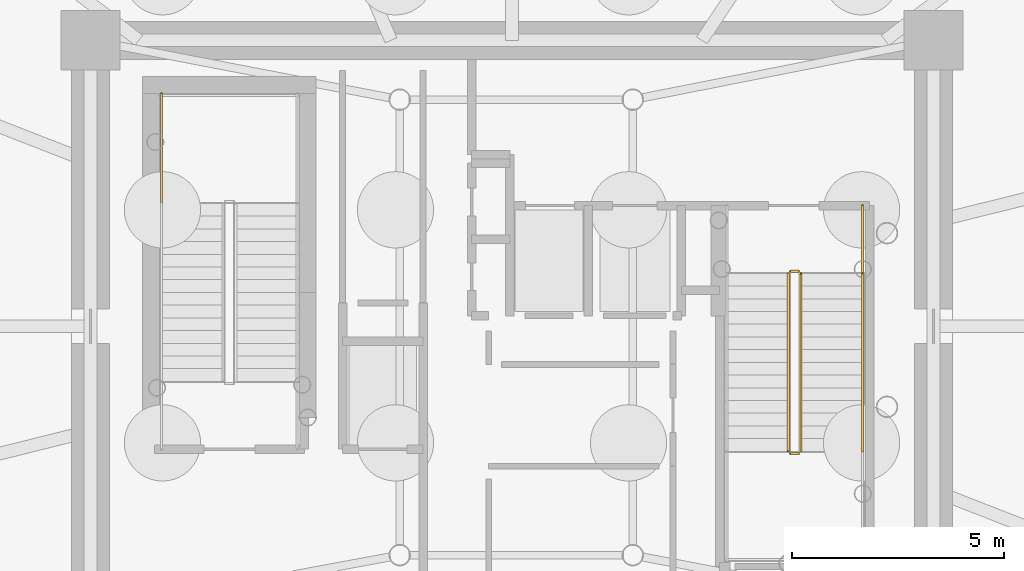
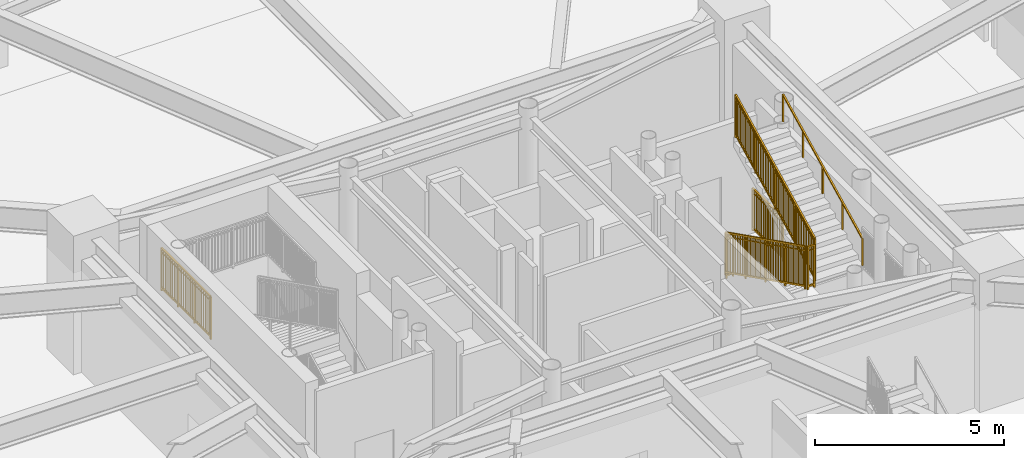
# One storey, part 16 of 18: 7 railings.
"""IFC4 building model written with IfcOpenShell, lengths in metres."""

from ifc_helpers import new_model, si_unit, direction, frame, origin, origin_2d, place, context, subcontext, project, spatial, rectangle, extrude, source, transform, mapped, material, type_object, element, save


model = new_model("IFC4")

# Units and contexts
model_context = context("Model", 3, precision=1e-05, world=origin(), true_north=direction((0.0, 1.0)))
body_context = subcontext(model_context, "Body", "Model", "MODEL_VIEW")
ifc_project = project(units=[si_unit("LENGTHUNIT", "METRE"), si_unit("AREAUNIT", "SQUARE_METRE"), si_unit("VOLUMEUNIT", "CUBIC_METRE"), si_unit("PLANEANGLEUNIT", "RADIAN"), si_unit("MASSUNIT", "GRAM", prefix="KILO")], contexts=[model_context])

# Site, building, storey
site_placement = place(None, origin())
site = spatial("IfcSite", under=ifc_project, at=site_placement, CompositionType="ELEMENT")
building_placement = place(site_placement, origin())
building = spatial("IfcBuilding", under=site, at=building_placement, Name="Linh Dai School and Residence Tower", CompositionType="ELEMENT")
storey_placement = place(building_placement, frame((0.0, 0.0, -9.0)))
storey = spatial("IfcBuildingStorey", under=building, at=storey_placement, Name="B02", CompositionType="ELEMENT", Elevation=-9.0)

# Railings
ifc_material_1 = material(Name="Structural Steel S355JR", Category="steel")
railing_type_1 = type_object("IfcRailingType", Name="RL-ST-GUARD-1400", PredefinedType="GUARDRAIL", material=ifc_material_1)
shared_shape_1 = source(origin(), body_context, "Body", "SweptSolid", [
    extrude(rectangle(XDim=0.048095703125, YDim=0.048095703125, at=origin_2d()), frame((0.0, 0.0, 1.3759765625), z_axis=(0.0, 0.894416792377, 0.447234392142), x_axis=(-1.0, 0.0, 0.0)), (0.0, 0.0, 1.0), 4.69580078125),
    extrude(rectangle(XDim=0.048095703125, YDim=0.048095703125, at=origin_2d()), frame((0.0, 0.0, 0.10009765625), z_axis=(0.0, 0.894416792377, 0.447234392142), x_axis=(-1.0, 0.0, 0.0)), (0.0, 0.0, 1.0), 4.69580078125),
    extrude(rectangle(XDim=0.030029296875, YDim=0.030029296875, at=origin_2d()), frame((0.0, 0.0, 1.239990234375), z_axis=(0.0, 0.894416792377, 0.447234392142), x_axis=(-1.0, 0.0, 0.0)), (0.0, 0.0, 1.0), 4.69580078125),
    extrude(rectangle(XDim=0.02001953125, YDim=0.02001953125, at=origin_2d()), frame((0.0, 0.08740234375, 0.143798828125)), (0.0, 0.0, 1.0), 1.251708984375),
    extrude(rectangle(XDim=0.02001953125, YDim=0.02001953125, at=origin_2d()), frame((0.0, 0.175048828125, 0.1875)), (0.0, 0.0, 1.0), 1.251708984375),
    extrude(rectangle(XDim=0.02001953125, YDim=0.02001953125, at=origin_2d()), frame((0.0, 0.262451171875, 0.2314453125)), (0.0, 0.0, 1.0), 1.251708984375),
    extrude(rectangle(XDim=0.02001953125, YDim=0.02001953125, at=origin_2d()), frame((0.0, 0.35009765625, 0.275146484375)), (0.0, 0.0, 1.0), 1.251708984375),
    extrude(rectangle(XDim=0.02001953125, YDim=0.02001953125, at=origin_2d()), frame((0.0, 0.4375, 0.31884765625)), (0.0, 0.0, 1.0), 1.251708984375),
    extrude(rectangle(XDim=0.02001953125, YDim=0.02001953125, at=origin_2d()), frame((0.0, 0.52490234375, 0.362548828125)), (0.0, 0.0, 1.0), 1.251708984375),
    extrude(rectangle(XDim=0.02001953125, YDim=0.02001953125, at=origin_2d()), frame((0.0, 0.612548828125, 0.40625)), (0.0, 0.0, 1.0), 1.251708984375),
    extrude(rectangle(XDim=0.02001953125, YDim=0.02001953125, at=origin_2d()), frame((0.0, 0.699951171875, 0.4501953125)), (0.0, 0.0, 1.0), 1.251708984375),
    extrude(rectangle(XDim=0.02001953125, YDim=0.02001953125, at=origin_2d()), frame((0.0, 0.78759765625, 0.493896484375)), (0.0, 0.0, 1.0), 1.251708984375),
    extrude(rectangle(XDim=0.02001953125, YDim=0.02001953125, at=origin_2d()), frame((0.0, 0.875, 0.53759765625)), (0.0, 0.0, 1.0), 1.251708984375),
    extrude(rectangle(XDim=0.02001953125, YDim=0.02001953125, at=origin_2d()), frame((0.0, 0.96240234375, 0.581298828125)), (0.0, 0.0, 1.0), 1.251708984375),
    extrude(rectangle(XDim=0.02001953125, YDim=0.02001953125, at=origin_2d()), frame((0.0, 1.137451171875, 0.6689453125)), (0.0, 0.0, 1.0), 1.251708984375),
    extrude(rectangle(XDim=0.02001953125, YDim=0.02001953125, at=origin_2d()), frame((0.0, 1.22509765625, 0.712646484375)), (0.0, 0.0, 1.0), 1.251708984375),
    extrude(rectangle(XDim=0.02001953125, YDim=0.02001953125, at=origin_2d()), frame((0.0, 1.3125, 0.75634765625)), (0.0, 0.0, 1.0), 1.251708984375),
    extrude(rectangle(XDim=0.02001953125, YDim=0.02001953125, at=origin_2d()), frame((0.0, 1.39990234375, 0.800048828125)), (0.0, 0.0, 1.0), 1.251708984375),
    extrude(rectangle(XDim=0.02001953125, YDim=0.02001953125, at=origin_2d()), frame((0.0, 1.487548828125, 0.843994140625)), (0.0, 0.0, 1.0), 1.251708984375),
    extrude(rectangle(XDim=0.02001953125, YDim=0.02001953125, at=origin_2d()), frame((0.0, 1.574951171875, 0.8876953125)), (0.0, 0.0, 1.0), 1.251708984375),
    extrude(rectangle(XDim=0.02001953125, YDim=0.02001953125, at=origin_2d()), frame((0.0, 1.66259765625, 0.931396484375)), (0.0, 0.0, 1.0), 1.251708984375),
    extrude(rectangle(XDim=0.02001953125, YDim=0.02001953125, at=origin_2d()), frame((0.0, 1.75, 0.97509765625)), (0.0, 0.0, 1.0), 1.251708984375),
    extrude(rectangle(XDim=0.02001953125, YDim=0.02001953125, at=origin_2d()), frame((0.0, 1.83740234375, 1.018798828125)), (0.0, 0.0, 1.0), 1.251708984375),
    extrude(rectangle(XDim=0.02001953125, YDim=0.02001953125, at=origin_2d()), frame((0.0, 1.925048828125, 1.062744140625)), (0.0, 0.0, 1.0), 1.251708984375),
    extrude(rectangle(XDim=0.02001953125, YDim=0.02001953125, at=origin_2d()), frame((0.0, 2.012451171875, 1.1064453125)), (0.0, 0.0, 1.0), 1.251708984375),
    extrude(rectangle(XDim=0.02001953125, YDim=0.02001953125, at=origin_2d()), frame((0.0, 2.1875, 1.19384765625)), (0.0, 0.0, 1.0), 1.251708984375),
    extrude(rectangle(XDim=0.02001953125, YDim=0.02001953125, at=origin_2d()), frame((0.0, 2.27490234375, 1.237548828125)), (0.0, 0.0, 1.0), 1.251708984375),
    extrude(rectangle(XDim=0.02001953125, YDim=0.02001953125, at=origin_2d()), frame((0.0, 2.362548828125, 1.281494140625)), (0.0, 0.0, 1.0), 1.251708984375),
    extrude(rectangle(XDim=0.02001953125, YDim=0.02001953125, at=origin_2d()), frame((0.0, 2.449951171875, 1.3251953125)), (0.0, 0.0, 1.0), 1.251708984375),
    extrude(rectangle(XDim=0.02001953125, YDim=0.02001953125, at=origin_2d()), frame((0.0, 2.537353515625, 1.368896484375)), (0.0, 0.0, 1.0), 1.251708984375),
    extrude(rectangle(XDim=0.02001953125, YDim=0.02001953125, at=origin_2d()), frame((0.0, 2.625, 1.41259765625)), (0.0, 0.0, 1.0), 1.251708984375),
    extrude(rectangle(XDim=0.02001953125, YDim=0.02001953125, at=origin_2d()), frame((0.0, 2.71240234375, 1.456298828125)), (0.0, 0.0, 1.0), 1.251708984375),
    extrude(rectangle(XDim=0.02001953125, YDim=0.02001953125, at=origin_2d()), frame((0.0, 2.800048828125, 1.500244140625)), (0.0, 0.0, 1.0), 1.251708984375),
    extrude(rectangle(XDim=0.02001953125, YDim=0.02001953125, at=origin_2d()), frame((0.0, 2.887451171875, 1.5439453125)), (0.0, 0.0, 1.0), 1.251708984375),
    extrude(rectangle(XDim=0.02001953125, YDim=0.02001953125, at=origin_2d()), frame((0.0, 2.974853515625, 1.587646484375)), (0.0, 0.0, 1.0), 1.251708984375),
    extrude(rectangle(XDim=0.02001953125, YDim=0.02001953125, at=origin_2d()), frame((0.0, 3.0625, 1.63134765625)), (0.0, 0.0, 1.0), 1.251708984375),
    extrude(rectangle(XDim=0.02001953125, YDim=0.02001953125, at=origin_2d()), frame((0.0, 3.237548828125, 1.718994140625)), (0.0, 0.0, 1.0), 1.251708984375),
    extrude(rectangle(XDim=0.02001953125, YDim=0.02001953125, at=origin_2d()), frame((0.0, 3.324951171875, 1.7626953125)), (0.0, 0.0, 1.0), 1.251708984375),
    extrude(rectangle(XDim=0.02001953125, YDim=0.02001953125, at=origin_2d()), frame((0.0, 3.412353515625, 1.806396484375)), (0.0, 0.0, 1.0), 1.251708984375),
    extrude(rectangle(XDim=0.02001953125, YDim=0.02001953125, at=origin_2d()), frame((0.0, 3.5, 1.85009765625)), (0.0, 0.0, 1.0), 1.251708984375),
    extrude(rectangle(XDim=0.02001953125, YDim=0.02001953125, at=origin_2d()), frame((0.0, 3.58740234375, 1.89404296875)), (0.0, 0.0, 1.0), 1.251708984375),
    extrude(rectangle(XDim=0.02001953125, YDim=0.02001953125, at=origin_2d()), frame((0.0, 3.675048828125, 1.937744140625)), (0.0, 0.0, 1.0), 1.251708984375),
    extrude(rectangle(XDim=0.02001953125, YDim=0.02001953125, at=origin_2d()), frame((0.0, 3.762451171875, 1.9814453125)), (0.0, 0.0, 1.0), 1.251708984375),
    extrude(rectangle(XDim=0.02001953125, YDim=0.02001953125, at=origin_2d()), frame((0.0, 3.849853515625, 2.025146484375)), (0.0, 0.0, 1.0), 1.251708984375),
    extrude(rectangle(XDim=0.02001953125, YDim=0.02001953125, at=origin_2d()), frame((0.0, 3.9375, 2.06884765625)), (0.0, 0.0, 1.0), 1.251708984375),
    extrude(rectangle(XDim=0.02001953125, YDim=0.02001953125, at=origin_2d()), frame((0.0, 4.02490234375, 2.11279296875)), (0.0, 0.0, 1.0), 1.251708984375),
    extrude(rectangle(XDim=0.02001953125, YDim=0.02001953125, at=origin_2d()), frame((0.0, 4.112548828125, 2.156494140625)), (0.0, 0.0, 1.0), 1.251708984375),
    extrude(rectangle(XDim=0.0419921875, YDim=0.0419921875, at=origin_2d()), origin(), (0.0, 0.0, 1.0), 1.3759765625),
    extrude(rectangle(XDim=0.0419921875, YDim=0.0419921875, at=origin_2d()), frame((0.0, 1.050048828125, 0.52490234375)), (0.0, 0.0, 1.0), 1.3759765625),
    extrude(rectangle(XDim=0.0419921875, YDim=0.0419921875, at=origin_2d()), frame((0.0, 2.10009765625, 1.050048828125)), (0.0, 0.0, 1.0), 1.3759765625),
    extrude(rectangle(XDim=0.0419921875, YDim=0.0419921875, at=origin_2d()), frame((0.0, 3.14990234375, 1.5751953125)), (0.0, 0.0, 1.0), 1.3759765625),
    extrude(rectangle(XDim=0.0419921875, YDim=0.0419921875, at=origin_2d()), frame((0.0, 4.199951171875, 2.10009765625)), (0.0, 0.0, 1.0), 1.3759765625),
])
railing_1_placement = place(storey_placement, frame((42.820068359375, 24.050048828125, 2.39990234375)))
element("IfcRailing", 1, at=railing_1_placement, inside=storey, type_object=railing_type_1, Name="B02 ST2 stair guard 6", PredefinedType="GUARDRAIL", context=body_context, shape_type="MappedRepresentation", body=[
    mapped(shared_shape_1, transform((0.0, 0.0, 0.0), x_axis=(1.0, 0.0, 0.0), y_axis=(0.0, 1.0, 0.0), z_axis=(0.0, 0.0, 1.0), scale=1.0)),
])
shared_shape_2 = source(origin(), body_context, "Body", "SweptSolid", [
    extrude(rectangle(XDim=0.048095703125, YDim=0.048095703125, at=origin_2d()), frame((0.0, 0.0, 1.3759765625), z_axis=(0.0, 1.0, 0.0), x_axis=(-1.0, 0.0, 0.0)), (0.0, 0.0, 1.0), 2.60009765625),
    extrude(rectangle(XDim=0.048095703125, YDim=0.048095703125, at=origin_2d()), frame((0.0, 0.0, 0.10009765625), z_axis=(0.0, 1.0, 0.0), x_axis=(-1.0, 0.0, 0.0)), (0.0, 0.0, 1.0), 2.60009765625),
    extrude(rectangle(XDim=0.030029296875, YDim=0.030029296875, at=origin_2d()), frame((0.0, 0.0, 1.239990234375), z_axis=(0.0, 1.0, 0.0), x_axis=(-1.0, 0.0, 0.0)), (0.0, 0.0, 1.0), 2.60009765625),
    extrude(rectangle(XDim=0.02001953125, YDim=0.02001953125, at=origin_2d()), frame((0.0, 0.09619140625, 0.10009765625)), (0.0, 0.0, 1.0), 1.251708984375),
    extrude(rectangle(XDim=0.02001953125, YDim=0.02001953125, at=origin_2d()), frame((0.0, 0.192626953125, 0.10009765625)), (0.0, 0.0, 1.0), 1.251708984375),
    extrude(rectangle(XDim=0.02001953125, YDim=0.02001953125, at=origin_2d()), frame((0.0, 0.288818359375, 0.10009765625)), (0.0, 0.0, 1.0), 1.251708984375),
    extrude(rectangle(XDim=0.02001953125, YDim=0.02001953125, at=origin_2d()), frame((0.0, 0.38525390625, 0.10009765625)), (0.0, 0.0, 1.0), 1.251708984375),
    extrude(rectangle(XDim=0.02001953125, YDim=0.02001953125, at=origin_2d()), frame((0.0, 0.4814453125, 0.10009765625)), (0.0, 0.0, 1.0), 1.251708984375),
    extrude(rectangle(XDim=0.02001953125, YDim=0.02001953125, at=origin_2d()), frame((0.0, 0.577880859375, 0.10009765625)), (0.0, 0.0, 1.0), 1.251708984375),
    extrude(rectangle(XDim=0.02001953125, YDim=0.02001953125, at=origin_2d()), frame((0.0, 0.674072265625, 0.10009765625)), (0.0, 0.0, 1.0), 1.251708984375),
    extrude(rectangle(XDim=0.02001953125, YDim=0.02001953125, at=origin_2d()), frame((0.0, 0.7705078125, 0.10009765625)), (0.0, 0.0, 1.0), 1.251708984375),
    extrude(rectangle(XDim=0.02001953125, YDim=0.02001953125, at=origin_2d()), frame((0.0, 0.962890625, 0.10009765625)), (0.0, 0.0, 1.0), 1.251708984375),
    extrude(rectangle(XDim=0.02001953125, YDim=0.02001953125, at=origin_2d()), frame((0.0, 1.059326171875, 0.10009765625)), (0.0, 0.0, 1.0), 1.251708984375),
    extrude(rectangle(XDim=0.02001953125, YDim=0.02001953125, at=origin_2d()), frame((0.0, 1.155517578125, 0.10009765625)), (0.0, 0.0, 1.0), 1.251708984375),
    extrude(rectangle(XDim=0.02001953125, YDim=0.02001953125, at=origin_2d()), frame((0.0, 1.251953125, 0.10009765625)), (0.0, 0.0, 1.0), 1.251708984375),
    extrude(rectangle(XDim=0.02001953125, YDim=0.02001953125, at=origin_2d()), frame((0.0, 1.34814453125, 0.10009765625)), (0.0, 0.0, 1.0), 1.251708984375),
    extrude(rectangle(XDim=0.02001953125, YDim=0.02001953125, at=origin_2d()), frame((0.0, 1.444580078125, 0.10009765625)), (0.0, 0.0, 1.0), 1.251708984375),
    extrude(rectangle(XDim=0.02001953125, YDim=0.02001953125, at=origin_2d()), frame((0.0, 1.540771484375, 0.10009765625)), (0.0, 0.0, 1.0), 1.251708984375),
    extrude(rectangle(XDim=0.02001953125, YDim=0.02001953125, at=origin_2d()), frame((0.0, 1.63720703125, 0.10009765625)), (0.0, 0.0, 1.0), 1.251708984375),
    extrude(rectangle(XDim=0.02001953125, YDim=0.02001953125, at=origin_2d()), frame((0.0, 1.82958984375, 0.10009765625)), (0.0, 0.0, 1.0), 1.251708984375),
    extrude(rectangle(XDim=0.02001953125, YDim=0.02001953125, at=origin_2d()), frame((0.0, 1.926025390625, 0.10009765625)), (0.0, 0.0, 1.0), 1.251708984375),
    extrude(rectangle(XDim=0.02001953125, YDim=0.02001953125, at=origin_2d()), frame((0.0, 2.022216796875, 0.10009765625)), (0.0, 0.0, 1.0), 1.251708984375),
    extrude(rectangle(XDim=0.02001953125, YDim=0.02001953125, at=origin_2d()), frame((0.0, 2.11865234375, 0.10009765625)), (0.0, 0.0, 1.0), 1.251708984375),
    extrude(rectangle(XDim=0.02001953125, YDim=0.02001953125, at=origin_2d()), frame((0.0, 2.21484375, 0.10009765625)), (0.0, 0.0, 1.0), 1.251708984375),
    extrude(rectangle(XDim=0.02001953125, YDim=0.02001953125, at=origin_2d()), frame((0.0, 2.311279296875, 0.10009765625)), (0.0, 0.0, 1.0), 1.251708984375),
    extrude(rectangle(XDim=0.02001953125, YDim=0.02001953125, at=origin_2d()), frame((0.0, 2.407470703125, 0.10009765625)), (0.0, 0.0, 1.0), 1.251708984375),
    extrude(rectangle(XDim=0.02001953125, YDim=0.02001953125, at=origin_2d()), frame((0.0, 2.50390625, 0.10009765625)), (0.0, 0.0, 1.0), 1.251708984375),
    extrude(rectangle(XDim=0.0419921875, YDim=0.0419921875, at=origin_2d()), origin(), (0.0, 0.0, 1.0), 1.3759765625),
    extrude(rectangle(XDim=0.0419921875, YDim=0.0419921875, at=origin_2d()), frame((0.0, 0.86669921875, 0.0)), (0.0, 0.0, 1.0), 1.3759765625),
    extrude(rectangle(XDim=0.0419921875, YDim=0.0419921875, at=origin_2d()), frame((0.0, 1.7333984375, 0.0)), (0.0, 0.0, 1.0), 1.3759765625),
    extrude(rectangle(XDim=0.0419921875, YDim=0.0419921875, at=origin_2d()), frame((0.0, 2.60009765625, 0.0)), (0.0, 0.0, 1.0), 1.3759765625),
])
railing_2_placement = place(storey_placement, frame((27.72998046875, 29.89990234375, 2.25)))
element("IfcRailing", 2, at=railing_2_placement, inside=storey, type_object=railing_type_1, Name="B02 ST1 stair guard 4", PredefinedType="GUARDRAIL", context=body_context, shape_type="MappedRepresentation", body=[
    mapped(shared_shape_2, transform((0.0, 0.0, 0.0), x_axis=(1.0, 0.0, 0.0), y_axis=(0.0, 1.0, 0.0), z_axis=(0.0, 0.0, 1.0), scale=1.0)),
])
shared_shape_3 = source(origin(), body_context, "Body", "SweptSolid", [
    extrude(rectangle(XDim=0.048095703125, YDim=0.048095703125, at=origin_2d()), frame((0.0, 0.0, 1.3759765625), z_axis=(0.0, -0.894416792377, 0.447234392142), x_axis=(1.0, 0.0, 0.0)), (0.0, 0.0, 1.0), 4.69580078125),
    extrude(rectangle(XDim=0.048095703125, YDim=0.048095703125, at=origin_2d()), frame((0.0, 0.0, 0.10009765625), z_axis=(0.0, -0.894416792377, 0.447234392142), x_axis=(1.0, 0.0, 0.0)), (0.0, 0.0, 1.0), 4.69580078125),
    extrude(rectangle(XDim=0.030029296875, YDim=0.030029296875, at=origin_2d()), frame((0.0, 0.0, 1.239990234375), z_axis=(0.0, -0.894416792377, 0.447234392142), x_axis=(1.0, 0.0, 0.0)), (0.0, 0.0, 1.0), 4.69580078125),
    extrude(rectangle(XDim=0.02001953125, YDim=0.02001953125, at=origin_2d()), frame((0.0, -0.08740234375, 0.143798828125)), (0.0, 0.0, 1.0), 1.251708984375),
    extrude(rectangle(XDim=0.02001953125, YDim=0.02001953125, at=origin_2d()), frame((0.0, -0.175048828125, 0.1875)), (0.0, 0.0, 1.0), 1.251708984375),
    extrude(rectangle(XDim=0.02001953125, YDim=0.02001953125, at=origin_2d()), frame((0.0, -0.262451171875, 0.2314453125)), (0.0, 0.0, 1.0), 1.251708984375),
    extrude(rectangle(XDim=0.02001953125, YDim=0.02001953125, at=origin_2d()), frame((0.0, -0.35009765625, 0.275146484375)), (0.0, 0.0, 1.0), 1.251708984375),
    extrude(rectangle(XDim=0.02001953125, YDim=0.02001953125, at=origin_2d()), frame((0.0, -0.4375, 0.31884765625)), (0.0, 0.0, 1.0), 1.251708984375),
    extrude(rectangle(XDim=0.02001953125, YDim=0.02001953125, at=origin_2d()), frame((0.0, -0.52490234375, 0.362548828125)), (0.0, 0.0, 1.0), 1.251708984375),
    extrude(rectangle(XDim=0.02001953125, YDim=0.02001953125, at=origin_2d()), frame((0.0, -0.612548828125, 0.40625)), (0.0, 0.0, 1.0), 1.251708984375),
    extrude(rectangle(XDim=0.02001953125, YDim=0.02001953125, at=origin_2d()), frame((0.0, -0.699951171875, 0.4501953125)), (0.0, 0.0, 1.0), 1.251708984375),
    extrude(rectangle(XDim=0.02001953125, YDim=0.02001953125, at=origin_2d()), frame((0.0, -0.78759765625, 0.493896484375)), (0.0, 0.0, 1.0), 1.251708984375),
    extrude(rectangle(XDim=0.02001953125, YDim=0.02001953125, at=origin_2d()), frame((0.0, -0.875, 0.53759765625)), (0.0, 0.0, 1.0), 1.251708984375),
    extrude(rectangle(XDim=0.02001953125, YDim=0.02001953125, at=origin_2d()), frame((0.0, -0.96240234375, 0.581298828125)), (0.0, 0.0, 1.0), 1.251708984375),
    extrude(rectangle(XDim=0.02001953125, YDim=0.02001953125, at=origin_2d()), frame((0.0, -1.137451171875, 0.6689453125)), (0.0, 0.0, 1.0), 1.251708984375),
    extrude(rectangle(XDim=0.02001953125, YDim=0.02001953125, at=origin_2d()), frame((0.0, -1.22509765625, 0.712646484375)), (0.0, 0.0, 1.0), 1.251708984375),
    extrude(rectangle(XDim=0.02001953125, YDim=0.02001953125, at=origin_2d()), frame((0.0, -1.3125, 0.75634765625)), (0.0, 0.0, 1.0), 1.251708984375),
    extrude(rectangle(XDim=0.02001953125, YDim=0.02001953125, at=origin_2d()), frame((0.0, -1.39990234375, 0.800048828125)), (0.0, 0.0, 1.0), 1.251708984375),
    extrude(rectangle(XDim=0.02001953125, YDim=0.02001953125, at=origin_2d()), frame((0.0, -1.487548828125, 0.843994140625)), (0.0, 0.0, 1.0), 1.251708984375),
    extrude(rectangle(XDim=0.02001953125, YDim=0.02001953125, at=origin_2d()), frame((0.0, -1.574951171875, 0.8876953125)), (0.0, 0.0, 1.0), 1.251708984375),
    extrude(rectangle(XDim=0.02001953125, YDim=0.02001953125, at=origin_2d()), frame((0.0, -1.66259765625, 0.931396484375)), (0.0, 0.0, 1.0), 1.251708984375),
    extrude(rectangle(XDim=0.02001953125, YDim=0.02001953125, at=origin_2d()), frame((0.0, -1.75, 0.97509765625)), (0.0, 0.0, 1.0), 1.251708984375),
    extrude(rectangle(XDim=0.02001953125, YDim=0.02001953125, at=origin_2d()), frame((0.0, -1.83740234375, 1.018798828125)), (0.0, 0.0, 1.0), 1.251708984375),
    extrude(rectangle(XDim=0.02001953125, YDim=0.02001953125, at=origin_2d()), frame((0.0, -1.925048828125, 1.062744140625)), (0.0, 0.0, 1.0), 1.251708984375),
    extrude(rectangle(XDim=0.02001953125, YDim=0.02001953125, at=origin_2d()), frame((0.0, -2.012451171875, 1.1064453125)), (0.0, 0.0, 1.0), 1.251708984375),
    extrude(rectangle(XDim=0.02001953125, YDim=0.02001953125, at=origin_2d()), frame((0.0, -2.1875, 1.19384765625)), (0.0, 0.0, 1.0), 1.251708984375),
    extrude(rectangle(XDim=0.02001953125, YDim=0.02001953125, at=origin_2d()), frame((0.0, -2.27490234375, 1.237548828125)), (0.0, 0.0, 1.0), 1.251708984375),
    extrude(rectangle(XDim=0.02001953125, YDim=0.02001953125, at=origin_2d()), frame((0.0, -2.362548828125, 1.281494140625)), (0.0, 0.0, 1.0), 1.251708984375),
    extrude(rectangle(XDim=0.02001953125, YDim=0.02001953125, at=origin_2d()), frame((0.0, -2.449951171875, 1.3251953125)), (0.0, 0.0, 1.0), 1.251708984375),
    extrude(rectangle(XDim=0.02001953125, YDim=0.02001953125, at=origin_2d()), frame((0.0, -2.537353515625, 1.368896484375)), (0.0, 0.0, 1.0), 1.251708984375),
    extrude(rectangle(XDim=0.02001953125, YDim=0.02001953125, at=origin_2d()), frame((0.0, -2.625, 1.41259765625)), (0.0, 0.0, 1.0), 1.251708984375),
    extrude(rectangle(XDim=0.02001953125, YDim=0.02001953125, at=origin_2d()), frame((0.0, -2.71240234375, 1.456298828125)), (0.0, 0.0, 1.0), 1.251708984375),
    extrude(rectangle(XDim=0.02001953125, YDim=0.02001953125, at=origin_2d()), frame((0.0, -2.800048828125, 1.500244140625)), (0.0, 0.0, 1.0), 1.251708984375),
    extrude(rectangle(XDim=0.02001953125, YDim=0.02001953125, at=origin_2d()), frame((0.0, -2.887451171875, 1.5439453125)), (0.0, 0.0, 1.0), 1.251708984375),
    extrude(rectangle(XDim=0.02001953125, YDim=0.02001953125, at=origin_2d()), frame((0.0, -2.974853515625, 1.587646484375)), (0.0, 0.0, 1.0), 1.251708984375),
    extrude(rectangle(XDim=0.02001953125, YDim=0.02001953125, at=origin_2d()), frame((0.0, -3.0625, 1.63134765625)), (0.0, 0.0, 1.0), 1.251708984375),
    extrude(rectangle(XDim=0.02001953125, YDim=0.02001953125, at=origin_2d()), frame((0.0, -3.237548828125, 1.718994140625)), (0.0, 0.0, 1.0), 1.251708984375),
    extrude(rectangle(XDim=0.02001953125, YDim=0.02001953125, at=origin_2d()), frame((0.0, -3.324951171875, 1.7626953125)), (0.0, 0.0, 1.0), 1.251708984375),
    extrude(rectangle(XDim=0.02001953125, YDim=0.02001953125, at=origin_2d()), frame((0.0, -3.412353515625, 1.806396484375)), (0.0, 0.0, 1.0), 1.251708984375),
    extrude(rectangle(XDim=0.02001953125, YDim=0.02001953125, at=origin_2d()), frame((0.0, -3.5, 1.85009765625)), (0.0, 0.0, 1.0), 1.251708984375),
    extrude(rectangle(XDim=0.02001953125, YDim=0.02001953125, at=origin_2d()), frame((0.0, -3.58740234375, 1.89404296875)), (0.0, 0.0, 1.0), 1.251708984375),
    extrude(rectangle(XDim=0.02001953125, YDim=0.02001953125, at=origin_2d()), frame((0.0, -3.675048828125, 1.937744140625)), (0.0, 0.0, 1.0), 1.251708984375),
    extrude(rectangle(XDim=0.02001953125, YDim=0.02001953125, at=origin_2d()), frame((0.0, -3.762451171875, 1.9814453125)), (0.0, 0.0, 1.0), 1.251708984375),
    extrude(rectangle(XDim=0.02001953125, YDim=0.02001953125, at=origin_2d()), frame((0.0, -3.849853515625, 2.025146484375)), (0.0, 0.0, 1.0), 1.251708984375),
    extrude(rectangle(XDim=0.02001953125, YDim=0.02001953125, at=origin_2d()), frame((0.0, -3.9375, 2.06884765625)), (0.0, 0.0, 1.0), 1.251708984375),
    extrude(rectangle(XDim=0.02001953125, YDim=0.02001953125, at=origin_2d()), frame((0.0, -4.02490234375, 2.11279296875)), (0.0, 0.0, 1.0), 1.251708984375),
    extrude(rectangle(XDim=0.02001953125, YDim=0.02001953125, at=origin_2d()), frame((0.0, -4.112548828125, 2.156494140625)), (0.0, 0.0, 1.0), 1.251708984375),
    extrude(rectangle(XDim=0.0419921875, YDim=0.0419921875, at=origin_2d()), origin(), (0.0, 0.0, 1.0), 1.3759765625),
    extrude(rectangle(XDim=0.0419921875, YDim=0.0419921875, at=origin_2d()), frame((0.0, -1.050048828125, 0.52490234375)), (0.0, 0.0, 1.0), 1.3759765625),
    extrude(rectangle(XDim=0.0419921875, YDim=0.0419921875, at=origin_2d()), frame((0.0, -2.10009765625, 1.050048828125)), (0.0, 0.0, 1.0), 1.3759765625),
    extrude(rectangle(XDim=0.0419921875, YDim=0.0419921875, at=origin_2d()), frame((0.0, -3.14990234375, 1.5751953125)), (0.0, 0.0, 1.0), 1.3759765625),
    extrude(rectangle(XDim=0.0419921875, YDim=0.0419921875, at=origin_2d()), frame((0.0, -4.199951171875, 2.10009765625)), (0.0, 0.0, 1.0), 1.3759765625),
])
railing_3_placement = place(storey_placement, frame((42.52001953125, 28.25, 0.14990234375)))
element("IfcRailing", 3, at=railing_3_placement, inside=storey, type_object=railing_type_1, Name="B02 ST2 stair guard 1", PredefinedType="GUARDRAIL", context=body_context, shape_type="MappedRepresentation", body=[
    mapped(shared_shape_3, transform((0.0, 0.0, 0.0), x_axis=(1.0, 0.0, 0.0), y_axis=(0.0, 1.0, 0.0), z_axis=(0.0, 0.0, 1.0), scale=1.0)),
])
ifc_material_2 = material(Name="Brushed Stainless Steel Handrail", Category="steel")
railing_type_2 = type_object("IfcRailingType", Name="RL-ST-HANDRAIL-900", PredefinedType="HANDRAIL", material=ifc_material_2)
shared_shape_4 = source(origin(), body_context, "Body", "SweptSolid", [
    extrude(rectangle(XDim=0.048095703125, YDim=0.048095703125, at=origin_2d()), frame((0.0, 0.0, 0.8759765625), z_axis=(0.0, 0.894416792377, 0.447234392142), x_axis=(-1.0, 0.0, 0.0)), (0.0, 0.0, 1.0), 4.69580078125),
    extrude(rectangle(XDim=0.0419921875, YDim=0.0419921875, at=origin_2d()), origin(), (0.0, 0.0, 1.0), 0.8759765625),
    extrude(rectangle(XDim=0.0419921875, YDim=0.0419921875, at=origin_2d()), frame((0.0, 1.050048828125, 0.52490234375)), (0.0, 0.0, 1.0), 0.8759765625),
    extrude(rectangle(XDim=0.0419921875, YDim=0.0419921875, at=origin_2d()), frame((0.0, 2.10009765625, 1.050048828125)), (0.0, 0.0, 1.0), 0.8759765625),
    extrude(rectangle(XDim=0.0419921875, YDim=0.0419921875, at=origin_2d()), frame((0.0, 3.14990234375, 1.5751953125)), (0.0, 0.0, 1.0), 0.8759765625),
    extrude(rectangle(XDim=0.0419921875, YDim=0.0419921875, at=origin_2d()), frame((0.0, 4.199951171875, 2.10009765625)), (0.0, 0.0, 1.0), 0.8759765625),
])
railing_4_placement = place(storey_placement, frame((44.27001953125, 24.050048828125, 2.39990234375)))
element("IfcRailing", 4, at=railing_4_placement, inside=storey, type_object=railing_type_2, Name="B02 ST2 stair handrail 2", PredefinedType="HANDRAIL", context=body_context, shape_type="MappedRepresentation", body=[
    mapped(shared_shape_4, transform((0.0, 0.0, 0.0), x_axis=(1.0, 0.0, 0.0), y_axis=(0.0, 1.0, 0.0), z_axis=(0.0, 0.0, 1.0), scale=1.0)),
])
shared_shape_5 = source(origin(), body_context, "Body", "SweptSolid", [
    extrude(rectangle(XDim=0.048095703125, YDim=0.048095703125, at=origin_2d()), frame((0.0, 0.0, 1.3759765625), z_axis=(1.0, 0.0, 0.0), x_axis=(0.0, 1.0, 0.0)), (0.0, 0.0, 1.0), 0.199951171875),
    extrude(rectangle(XDim=0.048095703125, YDim=0.048095703125, at=origin_2d()), frame((0.0, 0.0, 0.10009765625), z_axis=(1.0, 0.0, 0.0), x_axis=(0.0, 1.0, 0.0)), (0.0, 0.0, 1.0), 0.199951171875),
    extrude(rectangle(XDim=0.030029296875, YDim=0.030029296875, at=origin_2d()), frame((0.0, 0.0, 1.239990234375), z_axis=(1.0, 0.0, 0.0), x_axis=(0.0, 1.0, 0.0)), (0.0, 0.0, 1.0), 0.199951171875),
    extrude(rectangle(XDim=0.0419921875, YDim=0.0419921875, at=origin_2d()), origin(), (0.0, 0.0, 1.0), 1.3759765625),
    extrude(rectangle(XDim=0.0419921875, YDim=0.0419921875, at=origin_2d()), frame((0.199951171875, 0.0, 0.0)), (0.0, 0.0, 1.0), 1.3759765625),
])
for number, where, name in (
    (5, (42.570068359375, 24.0, 2.25), "B02 ST2 stair guard 2"),
    (6, (42.570068359375, 28.300048828125, 0.0), "B02 ST2 stair guard 7"),
):
    element("IfcRailing", number, at=place(storey_placement, frame(where)), inside=storey, type_object=railing_type_1, Name=name, PredefinedType="GUARDRAIL", context=body_context, shape_type="MappedRepresentation", body=[
        mapped(shared_shape_5, transform((0.0, 0.0, 0.0), x_axis=(1.0, 0.0, 0.0), y_axis=(0.0, 1.0, 0.0), z_axis=(0.0, 0.0, 1.0), scale=1.0)),
    ])
shared_shape_6 = source(origin(), body_context, "Body", "SweptSolid", [
    extrude(rectangle(XDim=0.048095703125, YDim=0.048095703125, at=origin_2d()), frame((0.0, 0.0, 1.3759765625), z_axis=(0.0, -1.0, 0.0), x_axis=(1.0, 0.0, 0.0)), (0.0, 0.0, 1.0), 1.60009765625),
    extrude(rectangle(XDim=0.048095703125, YDim=0.048095703125, at=origin_2d()), frame((0.0, 0.0, 0.10009765625), z_axis=(0.0, -1.0, 0.0), x_axis=(1.0, 0.0, 0.0)), (0.0, 0.0, 1.0), 1.60009765625),
    extrude(rectangle(XDim=0.030029296875, YDim=0.030029296875, at=origin_2d()), frame((0.0, 0.0, 1.239990234375), z_axis=(0.0, -1.0, 0.0), x_axis=(1.0, 0.0, 0.0)), (0.0, 0.0, 1.0), 1.60009765625),
    extrude(rectangle(XDim=0.02001953125, YDim=0.02001953125, at=origin_2d()), frame((0.0, -0.09423828125, 0.10009765625)), (0.0, 0.0, 1.0), 1.251708984375),
    extrude(rectangle(XDim=0.02001953125, YDim=0.02001953125, at=origin_2d()), frame((0.0, -0.188232421875, 0.10009765625)), (0.0, 0.0, 1.0), 1.251708984375),
    extrude(rectangle(XDim=0.02001953125, YDim=0.02001953125, at=origin_2d()), frame((0.0, -0.282470703125, 0.10009765625)), (0.0, 0.0, 1.0), 1.251708984375),
    extrude(rectangle(XDim=0.02001953125, YDim=0.02001953125, at=origin_2d()), frame((0.0, -0.37646484375, 0.10009765625)), (0.0, 0.0, 1.0), 1.251708984375),
    extrude(rectangle(XDim=0.02001953125, YDim=0.02001953125, at=origin_2d()), frame((0.0, -0.470703125, 0.10009765625)), (0.0, 0.0, 1.0), 1.251708984375),
    extrude(rectangle(XDim=0.02001953125, YDim=0.02001953125, at=origin_2d()), frame((0.0, -0.564697265625, 0.10009765625)), (0.0, 0.0, 1.0), 1.251708984375),
    extrude(rectangle(XDim=0.02001953125, YDim=0.02001953125, at=origin_2d()), frame((0.0, -0.658935546875, 0.10009765625)), (0.0, 0.0, 1.0), 1.251708984375),
    extrude(rectangle(XDim=0.02001953125, YDim=0.02001953125, at=origin_2d()), frame((0.0, -0.7529296875, 0.10009765625)), (0.0, 0.0, 1.0), 1.251708984375),
    extrude(rectangle(XDim=0.02001953125, YDim=0.02001953125, at=origin_2d()), frame((0.0, -0.84716796875, 0.10009765625)), (0.0, 0.0, 1.0), 1.251708984375),
    extrude(rectangle(XDim=0.02001953125, YDim=0.02001953125, at=origin_2d()), frame((0.0, -0.941162109375, 0.10009765625)), (0.0, 0.0, 1.0), 1.251708984375),
    extrude(rectangle(XDim=0.02001953125, YDim=0.02001953125, at=origin_2d()), frame((0.0, -1.035400390625, 0.10009765625)), (0.0, 0.0, 1.0), 1.251708984375),
    extrude(rectangle(XDim=0.02001953125, YDim=0.02001953125, at=origin_2d()), frame((0.0, -1.12939453125, 0.10009765625)), (0.0, 0.0, 1.0), 1.251708984375),
    extrude(rectangle(XDim=0.02001953125, YDim=0.02001953125, at=origin_2d()), frame((0.0, -1.2236328125, 0.10009765625)), (0.0, 0.0, 1.0), 1.251708984375),
    extrude(rectangle(XDim=0.02001953125, YDim=0.02001953125, at=origin_2d()), frame((0.0, -1.317626953125, 0.10009765625)), (0.0, 0.0, 1.0), 1.251708984375),
    extrude(rectangle(XDim=0.02001953125, YDim=0.02001953125, at=origin_2d()), frame((0.0, -1.411865234375, 0.10009765625)), (0.0, 0.0, 1.0), 1.251708984375),
    extrude(rectangle(XDim=0.02001953125, YDim=0.02001953125, at=origin_2d()), frame((0.0, -1.505859375, 0.10009765625)), (0.0, 0.0, 1.0), 1.251708984375),
    extrude(rectangle(XDim=0.0419921875, YDim=0.0419921875, at=origin_2d()), origin(), (0.0, 0.0, 1.0), 1.3759765625),
    extrude(rectangle(XDim=0.0419921875, YDim=0.0419921875, at=origin_2d()), frame((0.0, -0.800048828125, 0.0)), (0.0, 0.0, 1.0), 1.3759765625),
    extrude(rectangle(XDim=0.0419921875, YDim=0.0419921875, at=origin_2d()), frame((0.0, -1.60009765625, 0.0)), (0.0, 0.0, 1.0), 1.3759765625),
])
railing_5_placement = place(storey_placement, frame((44.27001953125, 29.85009765625, 0.0)))
element("IfcRailing", 7, at=railing_5_placement, inside=storey, type_object=railing_type_1, Name="B02 ST2 stair guard 9", PredefinedType="GUARDRAIL", context=body_context, shape_type="MappedRepresentation", body=[
    mapped(shared_shape_6, transform((0.0, 0.0, 0.0), x_axis=(1.0, 0.0, 0.0), y_axis=(0.0, 1.0, 0.0), z_axis=(0.0, 0.0, 1.0), scale=1.0)),
])

save(model, "model.ifc")
